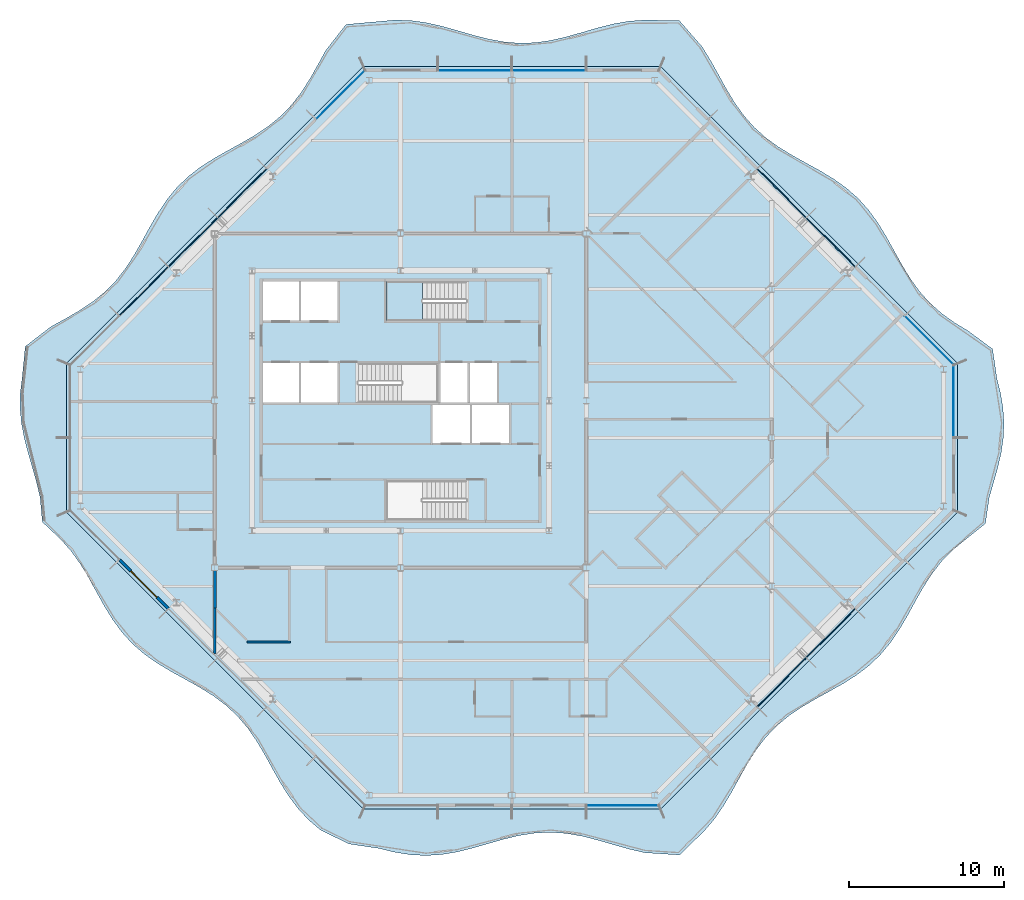
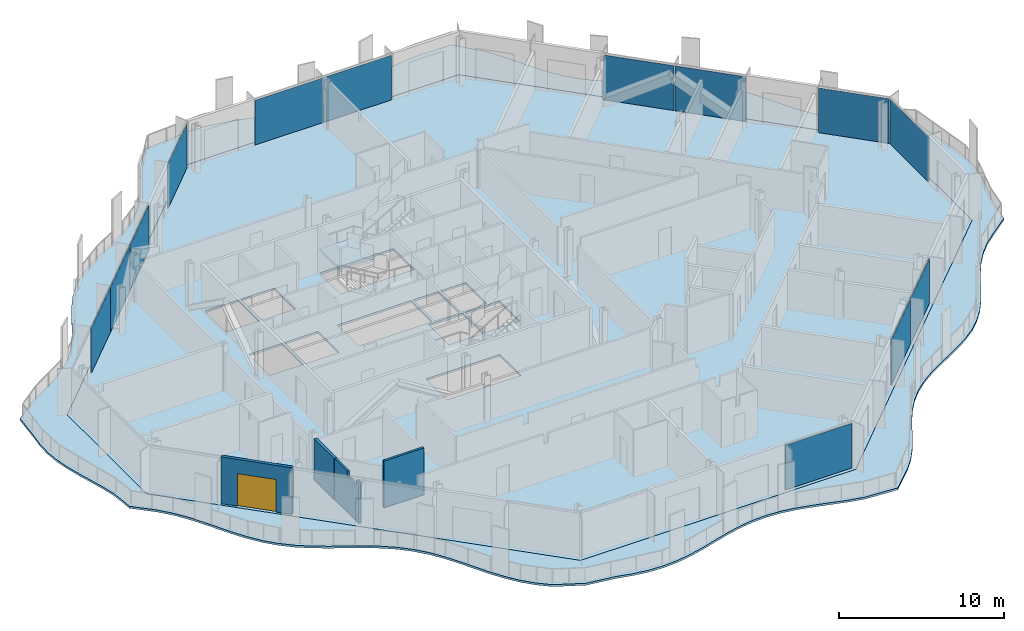
# One storey, part 6 of 17: 13 plates, 4 walls, 3 slabs, 1 door, 1 opening, 7 elements without a shape of their own.
"""IFC4 building model written with IfcOpenShell, lengths in metres."""

from ifc_helpers import new_model, si_unit, direction, frame, frame_2d, origin, origin_2d, place, context, subcontext, project, spatial, polyline, rectangle, outline, extrude, material, layer, layer_set, type_object, element, fill, aggregate, save


model = new_model("IFC4")

# Units and contexts
model_context = context("Model", 3, precision=1e-05, world=origin(), true_north=direction((0.0, 1.0)))
body_context = subcontext(model_context, "Body", "Model", "MODEL_VIEW")
ifc_project = project(units=[si_unit("LENGTHUNIT", "METRE"), si_unit("AREAUNIT", "SQUARE_METRE"), si_unit("VOLUMEUNIT", "CUBIC_METRE"), si_unit("PLANEANGLEUNIT", "RADIAN"), si_unit("MASSUNIT", "GRAM", prefix="KILO")], contexts=[model_context])

# Site, building, storey
site_placement = place(None, origin())
site = spatial("IfcSite", under=ifc_project, at=site_placement, CompositionType="ELEMENT")
building_placement = place(site_placement, origin())
building = spatial("IfcBuilding", under=site, at=building_placement, Name="Cairn Pilgrim Tower", CompositionType="ELEMENT")
storey_placement = place(building_placement, frame((0.0, 0.0, 250.199951171875)))
storey = spatial("IfcBuildingStorey", under=building, at=storey_placement, Name="L64", CompositionType="ELEMENT", Elevation=250.199951171875)

# Slabs
ifc_material_1 = material(Name="Concrete C35/45", Category="concrete")
ifc_layer_1 = layer(ifc_material_1, 0.14990234375)
ifc_layer_set_1 = layer_set([ifc_layer_1], Name="BALCONY SLAB 150 CONCRETE C35/45")
slab_type_1 = type_object("IfcSlabType", Name="BALCONY SLAB 150 CONCRETE C35/45", PredefinedType="FLOOR", material=ifc_layer_set_1)
slab_1_placement = place(storey_placement, frame((0.0, 0.0, -0.14990234375)))
element("IfcSlab", 1, at=slab_1_placement, inside=storey, type_object=slab_type_1, Name="Balcony slab BS-1", PredefinedType="FLOOR", context=body_context, shape_type="SweptSolid", body=[
    extrude(outline(polyline([(2.02587890625, -25.351806640625), (3.867919921875, -26.25), (5.810546875, -26.539794921875), (6.821044921875, -26.78466796875), (7.83154296875, -26.946533203125), (8.842041015625, -27.0), (9.8525390625, -26.936767578125), (10.863037109375, -26.76708984375), (11.873779296875, -26.516845703125), (12.88427734375, -26.22509765625), (13.894775390625, -25.9375), (14.9052734375, -25.6982421875), (15.915771484375, -25.544677734375), (16.92626953125, -25.5009765625), (17.936767578125, -25.573486328125), (18.947265625, -25.751220703125), (19.9580078125, -26.006591796875), (20.968505859375, -26.299560546875), (21.97900390625, -26.5849609375), (22.989501953125, -26.818359375), (25.2275390625, -26.96337890625), (26.830810546875, -25.408447265625), (27.484619140625, -24.64013671875), (28.066162109375, -23.79931640625), (28.5947265625, -22.906005859375), (29.09912109375, -21.988037109375), (29.610595703125, -21.077392578125), (30.16015625, -20.20458984375), (30.772705078125, -19.394775390625), (31.463134765625, -18.663330078125), (32.235107421875, -18.012939453125), (33.078857421875, -17.434326171875), (33.973876953125, -16.9072265625), (34.892333984375, -16.4033203125), (35.802001953125, -15.890869140625), (36.672119140625, -15.3388671875), (37.478759765625, -14.72314453125), (38.20654296875, -14.02880859375), (38.853515625, -13.25341796875), (39.42919921875, -12.406982421875), (39.95458984375, -11.510009765625), (40.4580078125, -10.59130859375), (40.971923828125, -9.682861328125), (41.526123046875, -8.815185546875), (42.145263671875, -8.011962890625), (42.84326171875, -7.28759765625), (43.6220703125, -6.644287109375), (44.998046875, -5.544677734375), (45.25, -3.840087890625), (45.5302734375, -2.8798828125), (45.799072265625, -1.919921875), (46.01904296875, -0.9599609375), (46.158935546875, 0.0), (46.19921875, 0.9599609375), (46.134521484375, 1.919921875), (45.973388671875, 2.8798828125), (45.739013671875, 3.840087890625), (45.4638671875, 5.73779296875), (43.885009765625, 6.9072265625), (42.9990234375, 7.443603515625), (42.170166015625, 8.036865234375), (41.416259765625, 8.705078125), (40.743896484375, 9.455078125), (40.1474609375, 10.28076171875), (39.60888671875, 11.164306640625), (39.101806640625, 12.07958984375), (38.5947265625, 12.99462890625), (38.056396484375, 13.87841796875), (37.4599609375, 14.704345703125), (36.7880859375, 15.45458984375), (36.034423828125, 16.123291015625), (35.20556640625, 16.716796875), (34.320068359375, 17.25341796875), (33.404052734375, 17.759765625), (32.48974609375, 18.267578125), (31.60791015625, 18.80810546875), (30.78515625, 19.407470703125), (30.03857421875, 20.0830078125), (29.37353515625, 20.84033203125), (28.783203125, 21.672119140625), (28.24853515625, 22.559814453125), (27.742919921875, 23.47607421875), (27.234130859375, 24.3896484375), (26.691650390625, 25.269287109375), (25.2236328125, 26.954345703125), (22.989501953125, 26.999267578125), (21.97900390625, 26.927734375), (20.968505859375, 26.7509765625), (19.9580078125, 26.496337890625), (18.947265625, 26.203369140625), (17.936767578125, 25.917724609375), (16.92626953125, 25.68359375), (15.915771484375, 25.53759765625), (14.9052734375, 25.50244140625), (13.894775390625, 25.583251953125), (12.88427734375, 25.767822265625), (11.873779296875, 26.02734375), (10.863037109375, 26.3212890625), (9.8525390625, 26.6044921875), (8.842041015625, 26.832275390625), (7.83154296875, 26.9697265625), (6.821044921875, 26.995361328125), (5.810546875, 26.905029296875), (3.67626953125, 26.712890625), (2.356201171875, 25.021484375), (1.852783203125, 24.102783203125), (1.3388671875, 23.1943359375), (0.78466796875, 22.326416015625), (0.165771484375, 21.523193359375), (-0.531982421875, 20.798828125), (-1.310791015625, 20.1552734375), (-2.159912109375, 19.582275390625), (-3.058349609375, 19.058349609375), (-3.977294921875, 18.55517578125), (-4.884521484375, 18.040283203125), (-5.750244140625, 17.4833984375), (-6.550048828125, 16.861083984375), (-7.270751953125, 16.15966796875), (-7.910888671875, 15.37744140625), (-8.481201171875, 14.525634765625), (-9.003173828125, 13.62548828125), (-9.50634765625, 12.70654296875), (-10.022705078125, 11.80029296875), (-10.581787109375, 10.9375), (-11.20751953125, 10.140869140625), (-11.91259765625, 9.423828125), (-12.6982421875, 8.787109375), (-13.552978515625, 8.2197265625), (-14.45458984375, 7.698974609375), (-15.373779296875, 7.196044921875), (-17.056396484375, 5.900390625), (-17.260009765625, 3.840087890625), (-17.377685546875, 2.8798828125), (-17.393310546875, 1.919921875), (-17.304443359375, 0.9599609375), (-17.123779296875, 0.0), (-16.87646484375, -0.9599609375), (-16.597412109375, -1.919921875), (-16.32568359375, -2.8798828125), (-16.099609375, -3.840087890625), (-15.95068359375, -5.4423828125), (-14.749755859375, -6.572021484375), (-14.08447265625, -7.3291015625), (-13.493896484375, -8.16064453125), (-12.95947265625, -9.04833984375), (-12.45361328125, -9.964599609375), (-11.945068359375, -10.87841796875), (-11.40234375, -11.758056640625), (-10.800048828125, -12.57763671875), (-10.120849609375, -13.32080078125), (-9.360107421875, -13.982421875), (-8.525634765625, -14.570068359375), (-7.635986328125, -15.102783203125), (-6.718994140625, -15.60791015625), (-5.80615234375, -16.117431640625), (-4.9287109375, -16.662109375), (-4.1123046875, -17.267822265625), (-3.372802734375, -17.950439453125), (-2.71484375, -18.71484375), (-2.130126953125, -19.552490234375), (-1.599365234375, -20.44384765625), (-1.0947265625, -21.361328125), (-0.584228515625, -22.273193359375), (-0.037109375, -23.148193359375), (0.571533203125, -23.961669921875), (1.258056640625, -24.697509765625), (2.02587890625, -25.351806640625)]), holes=[polyline([(24.0, -24.0), (4.800048828125, -24.0), (-14.39990234375, -4.800048828125), (-14.39990234375, 4.800048828125), (4.800048828125, 24.0), (24.0, 24.0), (43.199951171875, 4.800048828125), (43.199951171875, -4.800048828125), (24.0, -24.0)])]), origin(), (0.0, 0.0, 1.0), 0.14990234375),
])
ifc_layer_2 = layer(ifc_material_1, 0.14990234375)
ifc_layer_set_2 = layer_set([ifc_layer_2], Name="COMPOSITE FLOOR SLAB 150")
slab_type_2 = type_object("IfcSlabType", Name="COMPOSITE FLOOR SLAB 150", PredefinedType="FLOOR", material=ifc_layer_set_2)
slab_2_placement = place(storey_placement, frame((0.0, 0.0, -0.14990234375)))
element("IfcSlab", 2, at=slab_2_placement, inside=storey, type_object=slab_type_2, Name="FLOOR SLAB L64", PredefinedType="FLOOR", context=body_context, shape_type="SweptSolid", body=[
    extrude(outline(polyline([(4.800048828125, -24.0), (24.0, -24.0), (43.199951171875, -4.800048828125), (43.199951171875, 4.800048828125), (24.0, 24.0), (4.800048828125, 24.0), (-14.39990234375, 4.800048828125), (-14.39990234375, -4.800048828125), (4.800048828125, -24.0)]), holes=[polyline([(9.27490234375, -0.324951171875), (11.675048828125, -0.324951171875), (11.675048828125, 2.125), (9.27490234375, 2.125), (9.27490234375, -0.324951171875)]), polyline([(11.824951171875, -0.324951171875), (14.22509765625, -0.324951171875), (14.22509765625, 2.125), (11.824951171875, 2.125), (11.824951171875, -0.324951171875)]), polyline([(-1.72509765625, 2.27490234375), (0.625, 2.27490234375), (0.625, 4.824951171875), (-1.72509765625, 4.824951171875), (-1.72509765625, 2.27490234375)]), polyline([(0.77490234375, 2.27490234375), (3.125, 2.27490234375), (3.125, 4.824951171875), (0.77490234375, 4.824951171875), (0.77490234375, 2.27490234375)]), polyline([(-1.72509765625, 7.574951171875), (0.625, 7.574951171875), (0.625, 10.10009765625), (-1.72509765625, 10.10009765625), (-1.72509765625, 7.574951171875)]), polyline([(0.77490234375, 7.574951171875), (3.125, 7.574951171875), (3.125, 10.10009765625), (0.77490234375, 10.10009765625), (0.77490234375, 7.574951171875)]), polyline([(9.77490234375, 2.27490234375), (11.52490234375, 2.27490234375), (11.52490234375, 4.824951171875), (9.77490234375, 4.824951171875), (9.77490234375, 2.27490234375)]), polyline([(11.675048828125, 2.27490234375), (13.425048828125, 2.27490234375), (13.425048828125, 4.824951171875), (11.675048828125, 4.824951171875), (11.675048828125, 2.27490234375)]), polyline([(11.424560546875, -2.77490234375), (6.27490234375, -2.77490234375), (6.27490234375, -5.300048828125), (11.424560546875, -5.300048828125), (11.424560546875, -2.77490234375)]), polyline([(4.4755859375, 2.27490234375), (9.625, 2.27490234375), (9.625, 4.824951171875), (4.4755859375, 4.824951171875), (4.4755859375, 2.27490234375)]), polyline([(11.424560546875, 10.10009765625), (6.27490234375, 10.10009765625), (6.27490234375, 7.574951171875), (11.424560546875, 7.574951171875), (11.424560546875, 10.10009765625)])]), origin(), (0.0, 0.0, 1.0), 0.14990234375),
])

# Curtain wall, plates
ifc_material_2 = material(Name="Aluminium alloy 6063-T6 bronze anodised with Bronze tinted laminated low-E glass 8+16+8.8", Category="aluminium")
curtain_wall_type_1 = type_object("IfcCurtainWallType", Name="CHAMFER CORNER CURTAIN WALL", PredefinedType="NOTDEFINED", material=ifc_material_2)
curtain_wall_1_placement = place(storey_placement, origin())
curtain_wall_1 = element("IfcCurtainWall", 3, at=curtain_wall_1_placement, inside=storey, type_object=curtain_wall_type_1, Name="Chamfer Corner Curtain Wall SE", PredefinedType="NOTDEFINED")
ifc_material_3 = material(Name="Bronze anodised aluminium spandrel panel with mineral wool insulation", Category="aluminium")
ifc_layer_3 = layer(ifc_material_3, 0.06005859375)
ifc_layer_set_3 = layer_set([ifc_layer_3], Name="SPANDREL PANEL 4431x3300")
plate_type_1 = type_object("IfcPlateType", Name="SPANDREL PANEL 4431x3300", PredefinedType="CURTAIN_PANEL", material=ifc_layer_set_3)
plate_1_placement = place(storey_placement, frame((31.83544921875, -15.81103515625, 0.0), z_axis=(0.0, 0.0, 1.0), x_axis=(0.707106781187, 0.707106781187, 0.0)))
plate_1 = element("IfcPlate", 4, at=plate_1_placement, type_object=plate_type_1, Name="Spandrel Panel SE3-1", PredefinedType="CURTAIN_PANEL", context=body_context, shape_type="SweptSolid", body=[
    extrude(rectangle(XDim=4.430908203125, YDim=0.06005859375, at=origin_2d()), origin(), (0.0, 0.0, 1.0), 3.300048828125),
])
plate_2_placement = place(storey_placement, frame((35.010986328125, -12.635498046875, 0.0), z_axis=(0.0, 0.0, 1.0), x_axis=(0.707106781187, 0.707106781187, 0.0)))
plate_2 = element("IfcPlate", 5, at=plate_2_placement, type_object=plate_type_1, Name="Spandrel Panel SE4-1", PredefinedType="CURTAIN_PANEL", context=body_context, shape_type="SweptSolid", body=[
    extrude(rectangle(XDim=4.430908203125, YDim=0.06005859375, at=origin_2d()), origin(), (0.0, 0.0, 1.0), 3.300048828125),
])
aggregate(curtain_wall_1, [plate_1, plate_2])

curtain_wall_2_placement = place(storey_placement, origin())
curtain_wall_2 = element("IfcCurtainWall", 6, at=curtain_wall_2_placement, inside=storey, type_object=curtain_wall_type_1, Name="Chamfer Corner Curtain Wall NE", PredefinedType="NOTDEFINED")
plate_3_placement = place(storey_placement, frame((35.010986328125, 12.635498046875, 0.0), z_axis=(0.0, 0.0, 1.0), x_axis=(-0.707106781187, 0.707106781187, 0.0)))
plate_3 = element("IfcPlate", 7, at=plate_3_placement, type_object=plate_type_1, Name="Spandrel Panel NE3-1", PredefinedType="CURTAIN_PANEL", context=body_context, shape_type="SweptSolid", body=[
    extrude(rectangle(XDim=4.430908203125, YDim=0.06005859375, at=origin_2d()), origin(), (0.0, 0.0, 1.0), 3.300048828125),
])
plate_4_placement = place(storey_placement, frame((31.83544921875, 15.81103515625, 0.0), z_axis=(0.0, 0.0, 1.0), x_axis=(-0.707106781187, 0.707106781187, 0.0)))
plate_4 = element("IfcPlate", 8, at=plate_4_placement, type_object=plate_type_1, Name="Spandrel Panel NE4-1", PredefinedType="CURTAIN_PANEL", context=body_context, shape_type="SweptSolid", body=[
    extrude(rectangle(XDim=4.430908203125, YDim=0.06005859375, at=origin_2d()), origin(), (0.0, 0.0, 1.0), 3.300048828125),
])

curtain_wall_3_placement = place(storey_placement, origin())
curtain_wall_3 = element("IfcCurtainWall", 9, at=curtain_wall_3_placement, inside=storey, type_object=curtain_wall_type_1, Name="Chamfer Corner Curtain Wall NW", PredefinedType="NOTDEFINED")
plate_5_placement = place(storey_placement, frame((-3.035400390625, 15.81103515625, 0.0), z_axis=(0.0, 0.0, 1.0), x_axis=(-0.707106781187, -0.707106781187, 0.0)))
plate_5 = element("IfcPlate", 10, at=plate_5_placement, type_object=plate_type_1, Name="Spandrel Panel NW3-1", PredefinedType="CURTAIN_PANEL", context=body_context, shape_type="SweptSolid", body=[
    extrude(rectangle(XDim=4.430908203125, YDim=0.06005859375, at=origin_2d()), origin(), (0.0, 0.0, 1.0), 3.300048828125),
])
plate_6_placement = place(storey_placement, frame((-6.2109375, 12.635498046875, 0.0), z_axis=(0.0, 0.0, 1.0), x_axis=(-0.707106781187, -0.707106781187, 0.0)))
plate_6 = element("IfcPlate", 11, at=plate_6_placement, type_object=plate_type_1, Name="Spandrel Panel NW4-1", PredefinedType="CURTAIN_PANEL", context=body_context, shape_type="SweptSolid", body=[
    extrude(rectangle(XDim=4.430908203125, YDim=0.06005859375, at=origin_2d()), origin(), (0.0, 0.0, 1.0), 3.300048828125),
])
plate_7_placement = place(storey_placement, frame((-9.38671875, 9.459716796875, 0.0), z_axis=(0.0, 0.0, 1.0), x_axis=(-0.707106781187, -0.707106781187, 0.0)))
plate_7 = element("IfcPlate", 12, at=plate_7_placement, type_object=plate_type_1, Name="Spandrel Panel NW5-1", PredefinedType="CURTAIN_PANEL", context=body_context, shape_type="SweptSolid", body=[
    extrude(rectangle(XDim=4.430908203125, YDim=0.06005859375, at=origin_2d()), origin(), (0.0, 0.0, 1.0), 3.300048828125),
])

# Stair, slab
ifc_material_4 = material(Name="Concrete C32/40", Category="concrete")
stair_type = type_object("IfcStairType", Name="EXIT STAIR 1200", PredefinedType="HALF_TURN_STAIR", material=ifc_material_4)
stair_placement = place(storey_placement, origin())
stair = element("IfcStair", 13, at=stair_placement, inside=storey, type_object=stair_type, Name="L64 Exit Stair C", PredefinedType="HALF_TURN_STAIR")
ifc_layer_4 = layer(ifc_material_4, 0.199951171875)
ifc_layer_set_4 = layer_set([ifc_layer_4], Name="STAIR LANDING 200")
slab_type_3 = type_object("IfcSlabType", Name="STAIR LANDING 200", PredefinedType="LANDING", material=ifc_layer_set_4)
slab_3_placement = place(storey_placement, frame((0.0, 0.0, 1.60009765625)))
slab_3 = element("IfcSlab", 14, at=slab_3_placement, type_object=slab_type_3, Name="ST-C landing 1", PredefinedType="LANDING", context=body_context, shape_type="SweptSolid", body=[
    extrude(outline(polyline([(8.625, 10.10009765625), (6.27490234375, 10.10009765625), (6.27490234375, 7.574951171875), (8.625, 7.574951171875), (8.625, 10.10009765625)])), origin(), (0.0, 0.0, 1.0), 0.199951171875),
])
aggregate(stair, [slab_3])

# Plate
ifc_material_5 = material(Name="Bronze tinted laminated low-E glass 8+16+8.8", Category="glass")
ifc_layer_5 = layer(ifc_material_5, 0.033935546875)
ifc_layer_set_5 = layer_set([ifc_layer_5], Name="VISION GLAZING 4421x3300")
plate_type_2 = type_object("IfcPlateType", Name="VISION GLAZING 4421x3300", PredefinedType="CURTAIN_PANEL", material=ifc_layer_set_5)
plate_8_placement = place(storey_placement, frame((41.358642578125, 6.287841796875, 0.0), z_axis=(0.0, 0.0, 1.0), x_axis=(-0.707106781187, 0.707106781187, 0.0)))
plate_8 = element("IfcPlate", 15, at=plate_8_placement, type_object=plate_type_2, Name="Vision Glazing NE1-1", PredefinedType="CURTAIN_PANEL", context=body_context, shape_type="SweptSolid", body=[
    extrude(rectangle(XDim=4.4208984375, YDim=0.033935546875, at=origin_2d()), origin(), (0.0, 0.0, 1.0), 3.300048828125),
])

aggregate(curtain_wall_2, [plate_8, plate_3, plate_4])

plate_9_placement = place(storey_placement, frame((3.312255859375, 22.15869140625, 0.0), z_axis=(0.0, 0.0, 1.0), x_axis=(-0.707106781187, -0.707106781187, 0.0)))
plate_9 = element("IfcPlate", 16, at=plate_9_placement, type_object=plate_type_2, Name="Vision Glazing NW1-1", PredefinedType="CURTAIN_PANEL", context=body_context, shape_type="SweptSolid", body=[
    extrude(rectangle(XDim=4.4208984375, YDim=0.033935546875, at=origin_2d()), origin(), (0.0, 0.0, 1.0), 3.300048828125),
])

aggregate(curtain_wall_3, [plate_9, plate_5, plate_6, plate_7])

# Curtain wall, plate
curtain_wall_type_2 = type_object("IfcCurtainWallType", Name="TOWER STICK CURTAIN WALL NS", PredefinedType="NOTDEFINED", material=ifc_material_2)
curtain_wall_4_placement = place(storey_placement, origin())
curtain_wall_4 = element("IfcCurtainWall", 17, at=curtain_wall_4_placement, inside=storey, type_object=curtain_wall_type_2, Name="Tower Stick Curtain Wall Ns S", PredefinedType="NOTDEFINED")
ifc_layer_6 = layer(ifc_material_5, 0.033935546875)
ifc_layer_set_6 = layer_set([ifc_layer_6], Name="VISION GLAZING 4626x3300")
plate_type_3 = type_object("IfcPlateType", Name="VISION GLAZING 4626x3300", PredefinedType="CURTAIN_PANEL", material=ifc_layer_set_6)
plate_10_placement = place(storey_placement, frame((21.543212890625, -23.75, 0.0), z_axis=(0.0, 0.0, 1.0), x_axis=(1.0, 0.0, 0.0)))
plate_10 = element("IfcPlate", 18, at=plate_10_placement, type_object=plate_type_3, Name="Vision Glazing S4-1", PredefinedType="CURTAIN_PANEL", context=body_context, shape_type="SweptSolid", body=[
    extrude(rectangle(XDim=4.62646484375, YDim=0.033935546875, at=origin_2d()), origin(), (0.0, 0.0, 1.0), 3.300048828125),
])
aggregate(curtain_wall_4, [plate_10])

curtain_wall_type_3 = type_object("IfcCurtainWallType", Name="TOWER STICK CURTAIN WALL EW", PredefinedType="NOTDEFINED", material=ifc_material_2)
curtain_wall_5_placement = place(storey_placement, origin())
curtain_wall_5 = element("IfcCurtainWall", 19, at=curtain_wall_5_placement, inside=storey, type_object=curtain_wall_type_3, Name="Tower Stick Curtain Wall Ew E", PredefinedType="NOTDEFINED")
plate_11_placement = place(storey_placement, frame((42.949951171875, 2.34326171875, 0.0), z_axis=(0.0, 0.0, 1.0), x_axis=(0.0, 1.0, 0.0)))
plate_11 = element("IfcPlate", 20, at=plate_11_placement, type_object=plate_type_3, Name="Vision Glazing E2-1", PredefinedType="CURTAIN_PANEL", context=body_context, shape_type="SweptSolid", body=[
    extrude(rectangle(XDim=4.62646484375, YDim=0.033935546875, at=origin_2d()), origin(), (0.0, 0.0, 1.0), 3.300048828125),
])
aggregate(curtain_wall_5, [plate_11])

# Curtain wall, plates
curtain_wall_6_placement = place(storey_placement, origin())
curtain_wall_6 = element("IfcCurtainWall", 21, at=curtain_wall_6_placement, inside=storey, type_object=curtain_wall_type_2, Name="Tower Stick Curtain Wall Ns N", PredefinedType="NOTDEFINED")
ifc_layer_7 = layer(ifc_material_5, 0.033935546875)
ifc_layer_set_7 = layer_set([ifc_layer_7], Name="VISION GLAZING 4740x3300")
plate_type_4 = type_object("IfcPlateType", Name="VISION GLAZING 4740x3300", PredefinedType="CURTAIN_PANEL", material=ifc_layer_set_7)
plate_12_placement = place(storey_placement, frame((16.800048828125, 23.75, 0.0), z_axis=(0.0, 0.0, 1.0), x_axis=(-1.0, 0.0, 0.0)))
plate_12 = element("IfcPlate", 22, at=plate_12_placement, type_object=plate_type_4, Name="Vision Glazing N2-1", PredefinedType="CURTAIN_PANEL", context=body_context, shape_type="SweptSolid", body=[
    extrude(rectangle(XDim=4.739990234375, YDim=0.033935546875, at=origin_2d()), origin(), (0.0, 0.0, 1.0), 3.300048828125),
])
plate_13_placement = place(storey_placement, frame((12.0, 23.75, 0.0), z_axis=(0.0, 0.0, 1.0), x_axis=(-1.0, 0.0, 0.0)))
plate_13 = element("IfcPlate", 23, at=plate_13_placement, type_object=plate_type_4, Name="Vision Glazing N3-1", PredefinedType="CURTAIN_PANEL", context=body_context, shape_type="SweptSolid", body=[
    extrude(rectangle(XDim=4.739990234375, YDim=0.033935546875, at=origin_2d()), origin(), (0.0, 0.0, 1.0), 3.300048828125),
])
aggregate(curtain_wall_6, [plate_12, plate_13])

# Wall, opening, door
ifc_material_6 = material(Name="Bronze anodised aluminium insulated sandwich panel with mineral wool fill", Category="aluminium")
ifc_layer_8 = layer(ifc_material_6, 0.199951171875)
ifc_layer_set_8 = layer_set([ifc_layer_8], Name="BRONZE INFILL FRAME WALL 200")
wall_type_1 = type_object("IfcWallType", Name="BRONZE INFILL FRAME WALL 200", PredefinedType="NOTDEFINED", material=ifc_layer_set_8)
wall_1_placement = place(storey_placement, frame((-10.953125, -7.893310546875, 0.0), z_axis=(0.0, 0.0, 1.0), x_axis=(0.707106781187, -0.707106781187, 0.0)))
wall_1 = element("IfcWall", 24, at=wall_1_placement, inside=storey, type_object=wall_type_1, Name="Bronze infill frame wall IW-SW2", PredefinedType="NOTDEFINED", context=body_context, shape_type="SweptSolid", body=[
    extrude(rectangle(XDim=4.430908203125, YDim=0.199951171875, at=frame_2d((2.21533203125, 0.0))), origin(), (0.0, 0.0, 1.0), 3.449951171875),
])
opening_placement = place(wall_1_placement, frame((1.015380859375, 0.0, 0.0)))
opening = element("IfcOpeningElement", 25, at=opening_placement, cuts=wall_1, Name="Opening 6414B", PredefinedType="OPENING", context=body_context, shape_type="SweptSolid", body=[
    extrude(rectangle(XDim=2.39990234375, YDim=2.39990234375, at=frame_2d((1.199951171875, 1.199951171875))), frame((0.0, 0.10986328125, 0.0), z_axis=(0.0, -1.0, 0.0), x_axis=(1.0, 0.0, 0.0)), (0.0, 0.0, 1.0), 0.219970703125),
])
ifc_material_7 = material(Name="Bronze anodised aluminium frame with tinted low-E glass", Category="aluminium")
door_type = type_object("IfcDoorType", Name="BALCONY SLIDING DOOR 2400x2400", OperationType="DOUBLE_DOOR_SLIDING", PredefinedType="DOOR", material=ifc_material_7)
door_placement = place(opening_placement, origin())
door = element("IfcDoor", 26, at=door_placement, inside=storey, type_object=door_type, Name="Balcony sliding door 6414B", OperationType="SINGLE_SWING_LEFT", OverallHeight=2.39990234375, OverallWidth=2.39990234375, PredefinedType="DOOR", context=body_context, shape_type="SweptSolid", body=[
    extrude(rectangle(XDim=2.39990234375, YDim=2.39990234375, at=frame_2d((1.199951171875, 1.199951171875))), frame((0.0, 0.02490234375, 0.0), z_axis=(0.0, -1.0, 0.0), x_axis=(1.0, 0.0, 0.0)), (0.0, 0.0, 1.0), 0.050048828125),
])
fill(opening, door)

# Walls
ifc_material_8 = material(Name="Gypsum partition")
ifc_layer_9 = layer(ifc_material_8, 0.14990234375)
ifc_layer_set_9 = layer_set([ifc_layer_9], Name="PARTITION 150 DRYWALL EI 60")
wall_type_2 = type_object("IfcWallType", Name="PARTITION 150 DRYWALL EI 60", PredefinedType="PARTITIONING", material=ifc_layer_set_9)
wall_2_placement = place(storey_placement, frame((-4.800048828125, -13.926025390625, 0.0), z_axis=(0.0, 0.0, 1.0), x_axis=(0.0, 1.0, 0.0)))
element("IfcWall", 27, at=wall_2_placement, inside=storey, type_object=wall_type_2, Name="PARTITION W014", PredefinedType="PARTITIONING", context=body_context, shape_type="SweptSolid", body=[
    extrude(outline(polyline([(0.0, 0.0), (2.919921875, 0.0), (2.920166015625, 3.030029296875), (1.368896484375, 3.030029296875), (1.366943359375, 2.630126953125), (0.22900390625, 2.630126953125), (0.226806640625, 3.030029296875), (0.0, 3.030029296875), (0.0, 0.0)])), frame((0.0, 0.074951171875, 0.0), z_axis=(0.0, -1.0, 0.0), x_axis=(1.0, 0.0, 0.0)), (0.0, 0.0, 1.0), 0.14990234375),
])
wall_3_placement = place(storey_placement, frame((-2.712158203125, -13.199951171875, 0.0), z_axis=(0.0, 0.0, 1.0), x_axis=(1.0, 0.0, 0.0)))
element("IfcWall", 28, at=wall_3_placement, inside=storey, type_object=wall_type_2, Name="PARTITION W015", PredefinedType="PARTITIONING", context=body_context, shape_type="SweptSolid", body=[
    extrude(rectangle(XDim=2.787109375, YDim=0.14990234375, at=frame_2d((1.3935546875, 0.0))), origin(), (0.0, 0.0, 1.0), 3.449951171875),
])
ifc_layer_10 = layer(ifc_material_8, 0.199951171875)
ifc_layer_set_10 = layer_set([ifc_layer_10], Name="SHAFT WALL 200 GYPSUM EI 60")
wall_type_3 = type_object("IfcWallType", Name="SHAFT WALL 200 GYPSUM EI 60", PredefinedType="PARTITIONING", material=ifc_layer_set_10)
wall_4_placement = place(storey_placement, frame((-4.800048828125, -11.006103515625, 0.0), z_axis=(0.0, 0.0, 1.0), x_axis=(0.0, 1.0, 0.0)))
element("IfcWall", 29, at=wall_4_placement, inside=storey, type_object=wall_type_3, Name="PARTITION W024", PredefinedType="PARTITIONING", context=body_context, shape_type="SweptSolid", body=[
    extrude(rectangle(XDim=2.418701171875, YDim=0.199951171875, at=frame_2d((1.20947265625, 0.0))), origin(), (0.0, 0.0, 1.0), 3.030029296875),
])

save(model, "model.ifc")
